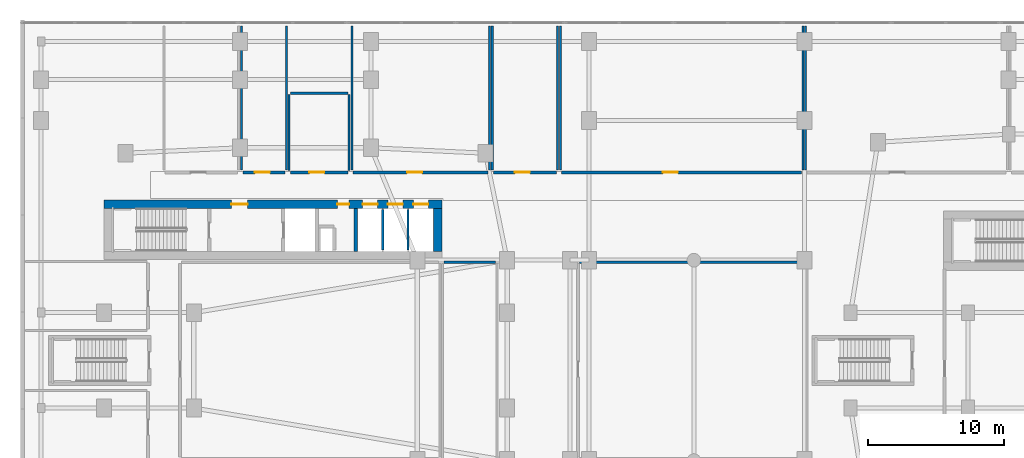
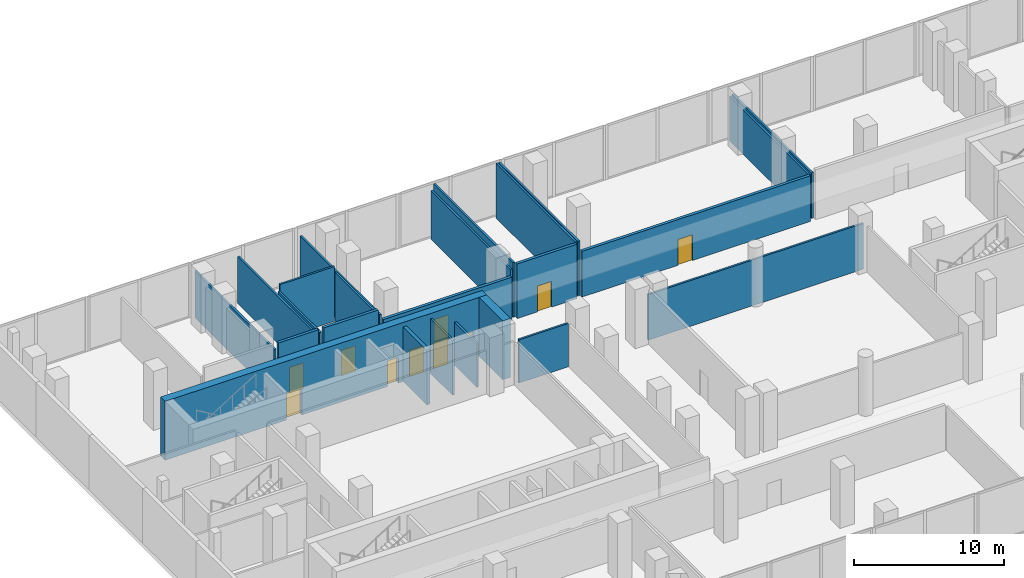
# One storey, part 15 of 23: 24 walls, 10 doors, 10 openings.
"""IFC4 building model written with IfcOpenShell, lengths in metres."""

from ifc_helpers import new_model, si_unit, derived_unit, direction, frame, frame_2d, origin, place, context, subcontext, project, spatial, rectangle, extrude, material, layer, layer_set, type_object, element, fill, save


model = new_model("IFC4")

# Units and contexts
model_context = context("Model", 3, precision=1e-05, world=origin(), true_north=direction((0.0, 1.0)))
body_context = subcontext(model_context, "Body", "Model", "MODEL_VIEW")
ifc_project = project(units=[si_unit("LENGTHUNIT", "METRE"), si_unit("AREAUNIT", "SQUARE_METRE"), si_unit("VOLUMEUNIT", "CUBIC_METRE"), si_unit("PLANEANGLEUNIT", "RADIAN"), si_unit("MASSUNIT", "GRAM", prefix="KILO"), derived_unit("THERMALTRANSMITTANCEUNIT", [(si_unit("POWERUNIT", "WATT"), 1), (si_unit("LENGTHUNIT", "METRE"), -2), (si_unit("THERMODYNAMICTEMPERATUREUNIT", "KELVIN"), -1)])], contexts=[model_context])

# Site, building, storey
site_placement = place(None, origin())
site = spatial("IfcSite", under=ifc_project, at=site_placement, CompositionType="ELEMENT")
building_placement = place(site_placement, origin())
building = spatial("IfcBuilding", under=site, at=building_placement, Name="Kivonza Crest Hotel", CompositionType="ELEMENT")
storey_placement = place(building_placement, frame((0.0, 0.0, 5.39990234375)))
storey = spatial("IfcBuildingStorey", under=building, at=storey_placement, Name="L01", CompositionType="ELEMENT", Elevation=5.39990234375)

# Wall, opening, door
ifc_material_1 = material(Name="Autoclaved aerated concrete blockwork", Category="masonry")
ifc_layer_1 = layer(ifc_material_1, 0.219970703125)
ifc_layer_set_1 = layer_set([ifc_layer_1], Name="Autoclaved aerated concrete blockwork")
wall_type_1 = type_object("IfcWallType", Name="WL-ACOU-220", PredefinedType="SOLIDWALL", material=ifc_layer_set_1)
wall_1_placement = place(storey_placement, frame((16.39990234375, 38.800048828125, 0.0), z_axis=(0.0, 0.0, 1.0), x_axis=(1.0, 0.0, 0.0)))
wall_1 = element("IfcWall", 1, at=wall_1_placement, inside=storey, type_object=wall_type_1, Name="L01 interior partition WA-L01-BOH-PAN-S", PredefinedType="SOLIDWALL", context=body_context, shape_type="SweptSolid", body=[
    extrude(rectangle(XDim=3.10009765625, YDim=0.219970703125, at=frame_2d((1.550048828125, 0.0))), origin(), (0.0, 0.0, 1.0), 4.4501953125),
])
opening_1_placement = place(wall_1_placement, frame((0.889892578125, 0.0, 0.0)))
opening_1 = element("IfcOpeningElement", 2, at=opening_1_placement, cuts=wall_1, Name="Opening DF-60M", PredefinedType="OPENING", context=body_context, shape_type="SweptSolid", body=[
    extrude(rectangle(XDim=1.10009765625, YDim=2.10009765625, at=frame_2d((0.550048828125, 1.050048828125))), frame((0.0, 0.1201171875, 0.0), z_axis=(0.0, -1.0, 0.0), x_axis=(1.0, 0.0, 0.0)), (0.0, 0.0, 1.0), 0.239990234375),
])
ifc_material_2 = material(Name="Hardwood timber oak", Category="wood")
door_type_1 = type_object("IfcDoorType", Name="DR-FD60-1100", OperationType="NOTDEFINED", PredefinedType="DOOR", material=ifc_material_2)
door_1_placement = place(opening_1_placement, origin())
door_1 = element("IfcDoor", 3, at=door_1_placement, inside=storey, type_object=door_type_1, Name="L01 Banquet Service Pantry door", OperationType="SINGLE_SWING_RIGHT", OverallHeight=2.10009765625, OverallWidth=1.10009765625, PredefinedType="DOOR", context=body_context, shape_type="SweptSolid", body=[
    extrude(rectangle(XDim=1.10009765625, YDim=2.10009765625, at=frame_2d((0.550048828125, 1.050048828125))), frame((0.0, 0.02490234375, 0.0), z_axis=(0.0, -1.0, 0.0), x_axis=(1.0, 0.0, 0.0)), (0.0, 0.0, 1.0), 0.050048828125),
])
fill(opening_1, door_1)

wall_2_placement = place(storey_placement, frame((19.89990234375, 38.800048828125, 0.0), z_axis=(0.0, 0.0, 1.0), x_axis=(1.0, 0.0, 0.0)))
wall_2 = element("IfcWall", 4, at=wall_2_placement, inside=storey, type_object=wall_type_1, Name="L01 interior partition WA-L01-AWC-S", PredefinedType="SOLIDWALL", context=body_context, shape_type="SweptSolid", body=[
    extrude(rectangle(XDim=4.2001953125, YDim=0.219970703125, at=frame_2d((2.10009765625, 0.0))), origin(), (0.0, 0.0, 1.0), 4.4501953125),
])
opening_2_placement = place(wall_2_placement, frame((1.385009765625, 0.0, 0.0)))
opening_2 = element("IfcOpeningElement", 5, at=opening_2_placement, cuts=wall_2, Name="Opening DF-60M", PredefinedType="OPENING", context=body_context, shape_type="SweptSolid", body=[
    extrude(rectangle(XDim=1.10009765625, YDim=2.10009765625, at=frame_2d((0.550048828125, 1.050048828125))), frame((0.0, 0.1201171875, 0.0), z_axis=(0.0, -1.0, 0.0), x_axis=(1.0, 0.0, 0.0)), (0.0, 0.0, 1.0), 0.239990234375),
])
door_2_placement = place(opening_2_placement, origin())
door_2 = element("IfcDoor", 6, at=door_2_placement, inside=storey, type_object=door_type_1, Name="L01 L01 Public Accessible WC door", OperationType="SINGLE_SWING_RIGHT", OverallHeight=2.10009765625, OverallWidth=1.10009765625, PredefinedType="DOOR", context=body_context, shape_type="SweptSolid", body=[
    extrude(rectangle(XDim=1.10009765625, YDim=2.10009765625, at=frame_2d((0.550048828125, 1.050048828125))), frame((0.0, 0.02490234375, 0.0), z_axis=(0.0, -1.0, 0.0), x_axis=(1.0, 0.0, 0.0)), (0.0, 0.0, 1.0), 0.050048828125),
])
fill(opening_2, door_2)

wall_3_placement = place(storey_placement, frame((24.5, 38.800048828125, 0.0), z_axis=(0.0, 0.0, 1.0), x_axis=(1.0, 0.0, 0.0)))
wall_3 = element("IfcWall", 7, at=wall_3_placement, inside=storey, type_object=wall_type_1, Name="L01 interior partition WA-L01-MWC-S", PredefinedType="SOLIDWALL", context=body_context, shape_type="SweptSolid", body=[
    extrude(rectangle(XDim=9.89990234375, YDim=0.219970703125, at=frame_2d((4.949951171875, 0.0))), origin(), (0.0, 0.0, 1.0), 3.525146484375),
])
opening_3_placement = place(wall_3_placement, frame((3.949951171875, 0.0, 0.0)))
opening_3 = element("IfcOpeningElement", 8, at=opening_3_placement, cuts=wall_3, Name="Opening DF-60M", PredefinedType="OPENING", context=body_context, shape_type="SweptSolid", body=[
    extrude(rectangle(XDim=1.10009765625, YDim=2.10009765625, at=frame_2d((0.550048828125, 1.050048828125))), frame((0.0, 0.1201171875, 0.0), z_axis=(0.0, -1.0, 0.0), x_axis=(1.0, 0.0, 0.0)), (0.0, 0.0, 1.0), 0.239990234375),
])
door_3_placement = place(opening_3_placement, origin())
door_3 = element("IfcDoor", 9, at=door_3_placement, inside=storey, type_object=door_type_1, Name="L01 L01 Public Male WC door", OperationType="SINGLE_SWING_LEFT", OverallHeight=2.10009765625, OverallWidth=1.10009765625, PredefinedType="DOOR", context=body_context, shape_type="SweptSolid", body=[
    extrude(rectangle(XDim=1.10009765625, YDim=2.10009765625, at=frame_2d((0.550048828125, 1.050048828125))), frame((0.0, 0.02490234375, 0.0), z_axis=(0.0, -1.0, 0.0), x_axis=(1.0, 0.0, 0.0)), (0.0, 0.0, 1.0), 0.050048828125),
])
fill(opening_3, door_3)

wall_4_placement = place(storey_placement, frame((34.800048828125, 38.800048828125, 0.0), z_axis=(0.0, 0.0, 1.0), x_axis=(1.0, 0.0, 0.0)))
wall_4 = element("IfcWall", 10, at=wall_4_placement, inside=storey, type_object=wall_type_1, Name="L01 interior partition WA-L01-FWC-S", PredefinedType="SOLIDWALL", context=body_context, shape_type="SweptSolid", body=[
    extrude(rectangle(XDim=4.599853515625, YDim=0.219970703125, at=frame_2d((2.2998046875, 0.0))), origin(), (0.0, 0.0, 1.0), 4.4501953125),
])
opening_4_placement = place(wall_4_placement, frame((1.56494140625, 0.0, 0.0)))
opening_4 = element("IfcOpeningElement", 11, at=opening_4_placement, cuts=wall_4, Name="Opening DF-60M", PredefinedType="OPENING", context=body_context, shape_type="SweptSolid", body=[
    extrude(rectangle(XDim=1.10009765625, YDim=2.10009765625, at=frame_2d((0.550048828125, 1.050048828125))), frame((0.0, 0.1201171875, 0.0), z_axis=(0.0, -1.0, 0.0), x_axis=(1.0, 0.0, 0.0)), (0.0, 0.0, 1.0), 0.239990234375),
])
door_4_placement = place(opening_4_placement, origin())
door_4 = element("IfcDoor", 12, at=door_4_placement, inside=storey, type_object=door_type_1, Name="L01 L01 Public Female WC door", OperationType="SINGLE_SWING_RIGHT", OverallHeight=2.10009765625, OverallWidth=1.10009765625, PredefinedType="DOOR", context=body_context, shape_type="SweptSolid", body=[
    extrude(rectangle(XDim=1.10009765625, YDim=2.10009765625, at=frame_2d((0.550048828125, 1.050048828125))), frame((0.0, 0.02490234375, 0.0), z_axis=(0.0, -1.0, 0.0), x_axis=(1.0, 0.0, 0.0)), (0.0, 0.0, 1.0), 0.050048828125),
])
fill(opening_4, door_4)

wall_5_placement = place(storey_placement, frame((39.800048828125, 38.800048828125, 0.0), z_axis=(0.0, 0.0, 1.0), x_axis=(1.0, 0.0, 0.0)))
wall_5 = element("IfcWall", 13, at=wall_5_placement, inside=storey, type_object=wall_type_1, Name="L01 interior partition WA-L01-VIP-DIN1-S", PredefinedType="SOLIDWALL", context=body_context, shape_type="SweptSolid", body=[
    extrude(rectangle(XDim=17.599853515625, YDim=0.219970703125, at=frame_2d((8.7998046875, 0.0))), origin(), (0.0, 0.0, 1.0), 3.72509765625),
])
opening_5_placement = place(wall_5_placement, frame((7.4150390625, 0.0, 0.0)))
opening_5 = element("IfcOpeningElement", 14, at=opening_5_placement, cuts=wall_5, Name="Opening DF-60M", PredefinedType="OPENING", context=body_context, shape_type="SweptSolid", body=[
    extrude(rectangle(XDim=1.10009765625, YDim=2.10009765625, at=frame_2d((0.550048828125, 1.050048828125))), frame((0.0, 0.1201171875, 0.0), z_axis=(0.0, -1.0, 0.0), x_axis=(1.0, 0.0, 0.0)), (0.0, 0.0, 1.0), 0.239990234375),
])
door_5_placement = place(opening_5_placement, origin())
door_5 = element("IfcDoor", 15, at=door_5_placement, inside=storey, type_object=door_type_1, Name="L01 North Horizon Banquet West door", OperationType="SINGLE_SWING_LEFT", OverallHeight=2.10009765625, OverallWidth=1.10009765625, PredefinedType="DOOR", context=body_context, shape_type="SweptSolid", body=[
    extrude(rectangle(XDim=1.10009765625, YDim=2.10009765625, at=frame_2d((0.550048828125, 1.050048828125))), frame((0.0, 0.02490234375, 0.0), z_axis=(0.0, -1.0, 0.0), x_axis=(1.0, 0.0, 0.0)), (0.0, 0.0, 1.0), 0.050048828125),
])
fill(opening_5, door_5)

# Wall, openings, doors
ifc_material_3 = material(Name="Concrete C60/75", Category="concrete")
ifc_layer_2 = layer(ifc_material_3, 0.60009765625)
ifc_layer_set_2 = layer_set([ifc_layer_2], Name="Concrete C60/75")
wall_type_2 = type_object("IfcWallType", Name="WL-CORE-600", PredefinedType="SHEAR", material=ifc_layer_set_2)
wall_6_placement = place(storey_placement, frame((6.199951171875, 36.4599609375, 0.0), z_axis=(0.0, 0.0, 1.0), x_axis=(1.0, 0.0, 0.0)))
wall_6 = element("IfcWall", 16, at=wall_6_placement, inside=storey, type_object=wall_type_2, Name="Core wall T1-N North L01", PredefinedType="SHEAR", context=body_context, shape_type="SweptSolid", body=[
    extrude(rectangle(XDim=24.800048828125, YDim=0.60009765625, at=frame_2d((12.39990234375, 0.0))), origin(), (0.0, 0.0, 1.0), 4.800048828125),
])
opening_6_placement = place(wall_6_placement, frame((9.35009765625, 0.0, 0.0)))
opening_6 = element("IfcOpeningElement", 17, at=opening_6_placement, cuts=wall_6, Name="Opening DF-60", PredefinedType="OPENING", context=body_context, shape_type="SweptSolid", body=[
    extrude(rectangle(XDim=1.199951171875, YDim=2.14990234375, at=frame_2d((0.60009765625, 1.074951171875))), frame((0.0, 0.31005859375, 0.0), z_axis=(0.0, -1.0, 0.0), x_axis=(1.0, 0.0, 0.0)), (0.0, 0.0, 1.0), 0.6201171875),
])
opening_7_placement = place(wall_6_placement, frame((17.139892578125, 0.0, 0.0)))
opening_7 = element("IfcOpeningElement", 18, at=opening_7_placement, cuts=wall_6, Name="Opening DF-60R", PredefinedType="OPENING", context=body_context, shape_type="SweptSolid", body=[
    extrude(rectangle(XDim=0.85009765625, YDim=2.10009765625, at=frame_2d((0.425048828125, 1.050048828125))), frame((0.0, 0.31005859375, 0.0), z_axis=(0.0, -1.0, 0.0), x_axis=(1.0, 0.0, 0.0)), (0.0, 0.0, 1.0), 0.6201171875),
])
opening_8_placement = place(wall_6_placement, frame((18.98291015625, 0.0, 0.0)))
opening_8 = element("IfcOpeningElement", 19, at=opening_8_placement, cuts=wall_6, Name="Opening LD-120", PredefinedType="OPENING", context=body_context, shape_type="SweptSolid", body=[
    extrude(rectangle(XDim=1.10009765625, YDim=2.14990234375, at=frame_2d((0.550048828125, 1.074951171875))), frame((0.0, 0.31005859375, 0.0), z_axis=(0.0, -1.0, 0.0), x_axis=(1.0, 0.0, 0.0)), (0.0, 0.0, 1.0), 0.6201171875),
])
opening_9_placement = place(wall_6_placement, frame((20.85009765625, 0.0, 0.0)))
opening_9 = element("IfcOpeningElement", 20, at=opening_9_placement, cuts=wall_6, Name="Opening LD-120", PredefinedType="OPENING", context=body_context, shape_type="SweptSolid", body=[
    extrude(rectangle(XDim=1.10009765625, YDim=2.14990234375, at=frame_2d((0.550048828125, 1.074951171875))), frame((0.0, 0.31005859375, 0.0), z_axis=(0.0, -1.0, 0.0), x_axis=(1.0, 0.0, 0.0)), (0.0, 0.0, 1.0), 0.6201171875),
])
opening_10_placement = place(wall_6_placement, frame((22.716064453125, 0.0, 0.0)))
opening_10 = element("IfcOpeningElement", 21, at=opening_10_placement, cuts=wall_6, Name="Opening LD-120", PredefinedType="OPENING", context=body_context, shape_type="SweptSolid", body=[
    extrude(rectangle(XDim=1.10009765625, YDim=2.14990234375, at=frame_2d((0.550048828125, 1.074951171875))), frame((0.0, 0.31005859375, 0.0), z_axis=(0.0, -1.0, 0.0), x_axis=(1.0, 0.0, 0.0)), (0.0, 0.0, 1.0), 0.6201171875),
])
door_type_2 = type_object("IfcDoorType", Name="DR-FD60-1200", OperationType="NOTDEFINED", PredefinedType="DOOR", material=ifc_material_2)
door_6_placement = place(opening_6_placement, origin())
door_6 = element("IfcDoor", 22, at=door_6_placement, inside=storey, type_object=door_type_2, Name="L01 T1-N firefighting lobby fire door", OperationType="SINGLE_SWING_RIGHT", OverallHeight=2.14990234375, OverallWidth=1.199951171875, PredefinedType="DOOR", context=body_context, shape_type="SweptSolid", body=[
    extrude(rectangle(XDim=1.199951171875, YDim=2.14990234375, at=frame_2d((0.60009765625, 1.074951171875))), frame((0.0, 0.02490234375, 0.0), z_axis=(0.0, -1.0, 0.0), x_axis=(1.0, 0.0, 0.0)), (0.0, 0.0, 1.0), 0.050048828125),
])
fill(opening_6, door_6)
door_type_3 = type_object("IfcDoorType", Name="DR-FD60-850", OperationType="NOTDEFINED", PredefinedType="DOOR", material=ifc_material_2)
door_7_placement = place(opening_7_placement, origin())
door_7 = element("IfcDoor", 23, at=door_7_placement, inside=storey, type_object=door_type_3, Name="L01 T1-N core room door", OperationType="SINGLE_SWING_RIGHT", OverallHeight=2.10009765625, OverallWidth=0.85009765625, PredefinedType="DOOR", context=body_context, shape_type="SweptSolid", body=[
    extrude(rectangle(XDim=0.85009765625, YDim=2.10009765625, at=frame_2d((0.425048828125, 1.050048828125))), frame((0.0, 0.02490234375, 0.0), z_axis=(0.0, -1.0, 0.0), x_axis=(1.0, 0.0, 0.0)), (0.0, 0.0, 1.0), 0.050048828125),
])
fill(opening_7, door_7)
ifc_material_4 = material(Name="Stainless steel", Category="steel")
door_type_4 = type_object("IfcDoorType", Name="DR-LD120-1100", OperationType="NOTDEFINED", PredefinedType="DOOR", material=ifc_material_4)
door_8_placement = place(opening_8_placement, origin())
door_8 = element("IfcDoor", 24, at=door_8_placement, inside=storey, type_object=door_type_4, Name="L01 PL-T1-L1 passenger lift sliding landing door", OperationType="DOUBLE_DOOR_SLIDING", OverallHeight=2.14990234375, OverallWidth=1.10009765625, PredefinedType="DOOR", context=body_context, shape_type="SweptSolid", body=[
    extrude(rectangle(XDim=1.10009765625, YDim=2.14990234375, at=frame_2d((0.550048828125, 1.074951171875))), frame((0.0, 0.02490234375, 0.0), z_axis=(0.0, -1.0, 0.0), x_axis=(1.0, 0.0, 0.0)), (0.0, 0.0, 1.0), 0.050048828125),
])
fill(opening_8, door_8)
door_9_placement = place(opening_9_placement, origin())
door_9 = element("IfcDoor", 25, at=door_9_placement, inside=storey, type_object=door_type_4, Name="L01 PL-T1-L2 passenger lift sliding landing door", OperationType="DOUBLE_DOOR_SLIDING", OverallHeight=2.14990234375, OverallWidth=1.10009765625, PredefinedType="DOOR", context=body_context, shape_type="SweptSolid", body=[
    extrude(rectangle(XDim=1.10009765625, YDim=2.14990234375, at=frame_2d((0.550048828125, 1.074951171875))), frame((0.0, 0.02490234375, 0.0), z_axis=(0.0, -1.0, 0.0), x_axis=(1.0, 0.0, 0.0)), (0.0, 0.0, 1.0), 0.050048828125),
])
fill(opening_9, door_9)
door_10_placement = place(opening_10_placement, origin())
door_10 = element("IfcDoor", 26, at=door_10_placement, inside=storey, type_object=door_type_4, Name="L01 PL-T1-L3 passenger lift sliding landing door", OperationType="DOUBLE_DOOR_SLIDING", OverallHeight=2.14990234375, OverallWidth=1.10009765625, PredefinedType="DOOR", context=body_context, shape_type="SweptSolid", body=[
    extrude(rectangle(XDim=1.10009765625, YDim=2.14990234375, at=frame_2d((0.550048828125, 1.074951171875))), frame((0.0, 0.02490234375, 0.0), z_axis=(0.0, -1.0, 0.0), x_axis=(1.0, 0.0, 0.0)), (0.0, 0.0, 1.0), 0.050048828125),
])
fill(opening_10, door_10)

# Walls
wall_7_placement = place(storey_placement, frame((30.699951171875, 33.0, 0.0), z_axis=(0.0, 0.0, 1.0), x_axis=(0.0, 1.0, 0.0)))
element("IfcWall", 27, at=wall_7_placement, inside=storey, type_object=wall_type_2, Name="Core wall T1-N East L01", PredefinedType="SHEAR", context=body_context, shape_type="SweptSolid", body=[
    extrude(rectangle(XDim=3.159912109375, YDim=0.60009765625, at=frame_2d((1.580078125, 0.0))), origin(), (0.0, 0.0, 1.0), 4.800048828125),
])
ifc_material_5 = material(Name="Twin-stud acoustic gypsum board partition", Category="gypsum")
ifc_layer_3 = layer(ifc_material_5, 0.14990234375)
ifc_layer_set_3 = layer_set([ifc_layer_3], Name="Twin-stud acoustic gypsum board partition")
wall_type_3 = type_object("IfcWallType", Name="WL-PART-150", PredefinedType="PARTITIONING", material=ifc_layer_set_3)
wall_8_placement = place(storey_placement, frame((26.6669921875, 33.10009765625, 0.0), z_axis=(0.0, 0.0, 1.0), x_axis=(0.0, 1.0, 0.0)))
element("IfcWall", 28, at=wall_8_placement, inside=storey, type_object=wall_type_3, Name="L01 interior partition WP-L01-T1-N-BSH-1", PredefinedType="PARTITIONING", context=body_context, shape_type="SweptSolid", body=[
    extrude(rectangle(XDim=2.9599609375, YDim=0.14990234375, at=frame_2d((1.47998046875, 0.0))), origin(), (0.0, 0.0, 1.0), 4.4501953125),
])
wall_9_placement = place(storey_placement, frame((28.532958984375, 33.10009765625, 0.0), z_axis=(0.0, 0.0, 1.0), x_axis=(0.0, 1.0, 0.0)))
element("IfcWall", 29, at=wall_9_placement, inside=storey, type_object=wall_type_3, Name="L01 interior partition WP-L01-T1-N-BSH-2", PredefinedType="PARTITIONING", context=body_context, shape_type="SweptSolid", body=[
    extrude(rectangle(XDim=2.9599609375, YDim=0.14990234375, at=frame_2d((1.47998046875, 0.0))), origin(), (0.0, 0.0, 1.0), 3.525146484375),
])
wall_10_placement = place(storey_placement, frame((31.14990234375, 32.199951171875, 0.0), z_axis=(0.0, 0.0, 1.0), x_axis=(1.0, 0.0, 0.0)))
element("IfcWall", 30, at=wall_10_placement, inside=storey, type_object=wall_type_3, Name="L01 interior partition WP-L01-DIN-SPC-BN", PredefinedType="PARTITIONING", context=body_context, shape_type="SweptSolid", body=[
    extrude(rectangle(XDim=3.800048828125, YDim=0.14990234375, at=frame_2d((1.89990234375, 0.0))), origin(), (0.0, 0.0, 1.0), 3.525146484375),
])
wall_11_placement = place(storey_placement, frame((41.10009765625, 32.199951171875, 0.0), z_axis=(0.0, 0.0, 1.0), x_axis=(1.0, 0.0, 0.0)))
element("IfcWall", 31, at=wall_11_placement, inside=storey, type_object=wall_type_3, Name="L01 interior partition WP-L01-RET-GAL-BN", PredefinedType="PARTITIONING", context=body_context, shape_type="SweptSolid", body=[
    extrude(rectangle(XDim=16.599853515625, YDim=0.14990234375, at=frame_2d((8.2998046875, 0.0))), origin(), (0.0, 0.0, 1.0), 3.72509765625),
])
for number, where, z_axis, x_axis, name in (
    (32, (16.300048828125, 38.949951171875, 0.0), (0.0, 0.0, 1.0), (0.0, 1.0, 0.0), "L01 interior partition WP-L01-BOH-PAN-BW"),
    (33, (19.60009765625, 38.949951171875, 0.0), (0.0, 0.0, 1.0), (0.0, 1.0, 0.0), "L01 interior partition WP-L01-BOH-PAN-BE"),
):
    element("IfcWall", number, at=place(storey_placement, frame(where, z_axis=z_axis, x_axis=x_axis)), inside=storey, type_object=wall_type_3, Name=name, PredefinedType="PARTITIONING", context=body_context, shape_type="SweptSolid", body=[
        extrude(rectangle(XDim=10.60009765625, YDim=0.14990234375, at=frame_2d((5.300048828125, 0.0))), origin(), (0.0, 0.0, 1.0), 3.8251953125),
    ])
for number, where, z_axis, x_axis, name in (
    (34, (19.800048828125, 38.949951171875, 0.0), (0.0, 0.0, 1.0), (0.0, 1.0, 0.0), "L01 interior partition WP-L01-AWC-BW"),
    (35, (24.199951171875, 38.949951171875, 0.0), (0.0, 0.0, 1.0), (0.0, 1.0, 0.0), "L01 interior partition WP-L01-AWC-BE"),
):
    element("IfcWall", number, at=place(storey_placement, frame(where, z_axis=z_axis, x_axis=x_axis)), inside=storey, type_object=wall_type_3, Name=name, PredefinedType="PARTITIONING", context=body_context, shape_type="SweptSolid", body=[
        extrude(rectangle(XDim=5.550048828125, YDim=0.14990234375, at=frame_2d((2.77490234375, 0.0))), origin(), (0.0, 0.0, 1.0), 3.97509765625),
    ])
wall_12_placement = place(storey_placement, frame((19.89990234375, 44.60009765625, 0.0), z_axis=(0.0, 0.0, 1.0), x_axis=(1.0, 0.0, 0.0)))
element("IfcWall", 36, at=wall_12_placement, inside=storey, type_object=wall_type_3, Name="L01 interior partition WP-L01-AWC-BN", PredefinedType="PARTITIONING", context=body_context, shape_type="SweptSolid", body=[
    extrude(rectangle(XDim=4.2001953125, YDim=0.14990234375, at=frame_2d((2.10009765625, 0.0))), origin(), (0.0, 0.0, 1.0), 4.4501953125),
])
wall_13_placement = place(storey_placement, frame((24.39990234375, 38.949951171875, 0.0), z_axis=(0.0, 0.0, 1.0), x_axis=(0.0, 1.0, 0.0)))
element("IfcWall", 37, at=wall_13_placement, inside=storey, type_object=wall_type_3, Name="L01 interior partition WP-L01-MWC-BW", PredefinedType="PARTITIONING", context=body_context, shape_type="SweptSolid", body=[
    extrude(rectangle(XDim=10.60009765625, YDim=0.14990234375, at=frame_2d((5.300048828125, 0.0))), origin(), (0.0, 0.0, 1.0), 3.8251953125),
])
wall_14_placement = place(storey_placement, frame((34.5, 38.949951171875, 0.0), z_axis=(0.0, 0.0, 1.0), x_axis=(0.0, 1.0, 0.0)))
element("IfcWall", 38, at=wall_14_placement, inside=storey, type_object=wall_type_3, Name="L01 interior partition WP-L01-MWC-BE", PredefinedType="PARTITIONING", context=body_context, shape_type="SweptSolid", body=[
    extrude(rectangle(XDim=10.60009765625, YDim=0.14990234375, at=frame_2d((5.300048828125, 0.0))), origin(), (0.0, 0.0, 1.0), 3.97509765625),
])
for number, where, z_axis, x_axis, name in (
    (39, (34.699951171875, 38.949951171875, 0.0), (0.0, 0.0, 1.0), (0.0, 1.0, 0.0), "L01 interior partition WP-L01-FWC-BW"),
    (40, (39.5, 38.949951171875, 0.0), (0.0, 0.0, 1.0), (0.0, 1.0, 0.0), "L01 interior partition WP-L01-FWC-BE"),
    (41, (39.699951171875, 38.949951171875, 0.0), (0.0, 0.0, 1.0), (0.0, 1.0, 0.0), "L01 interior partition WP-L01-VIP-DIN1-BW"),
):
    element("IfcWall", number, at=place(storey_placement, frame(where, z_axis=z_axis, x_axis=x_axis)), inside=storey, type_object=wall_type_3, Name=name, PredefinedType="PARTITIONING", context=body_context, shape_type="SweptSolid", body=[
        extrude(rectangle(XDim=10.60009765625, YDim=0.14990234375, at=frame_2d((5.300048828125, 0.0))), origin(), (0.0, 0.0, 1.0), 4.4501953125),
    ])
wall_15_placement = place(storey_placement, frame((57.5, 38.949951171875, 0.0), z_axis=(0.0, 0.0, 1.0), x_axis=(0.0, 1.0, 0.0)))
element("IfcWall", 42, at=wall_15_placement, inside=storey, type_object=wall_type_3, Name="L01 interior partition WP-L01-VIP-DIN1-BE", PredefinedType="PARTITIONING", context=body_context, shape_type="SweptSolid", body=[
    extrude(rectangle(XDim=10.60009765625, YDim=0.14990234375, at=frame_2d((5.300048828125, 0.0))), origin(), (0.0, 0.0, 1.0), 3.625),
])
wall_16_placement = place(storey_placement, frame((57.699951171875, 38.949951171875, 0.0), z_axis=(0.0, 0.0, 1.0), x_axis=(0.0, 1.0, 0.0)))
element("IfcWall", 43, at=wall_16_placement, inside=storey, type_object=wall_type_3, Name="L01 interior partition WP-L01-VIP-DIN2-BW", PredefinedType="PARTITIONING", context=body_context, shape_type="SweptSolid", body=[
    extrude(rectangle(XDim=10.60009765625, YDim=0.14990234375, at=frame_2d((5.300048828125, 0.0))), origin(), (0.0, 0.0, 1.0), 3.72509765625),
])
ifc_material_6 = material(Name="Concrete C50/60", Category="concrete")
ifc_layer_4 = layer(ifc_material_6, 0.25)
ifc_layer_set_4 = layer_set([ifc_layer_4], Name="Concrete C50/60")
wall_type_4 = type_object("IfcWallType", Name="WL-SHAFT-250", PredefinedType="STANDARD", material=ifc_layer_set_4)
wall_17_placement = place(storey_placement, frame((24.675048828125, 33.0, 0.0), z_axis=(0.0, 0.0, 1.0), x_axis=(0.0, 1.0, 0.0)))
element("IfcWall", 44, at=wall_17_placement, inside=storey, type_object=wall_type_4, Name="Core shaft wall T1-N BANK-W L01", PredefinedType="STANDARD", context=body_context, shape_type="SweptSolid", body=[
    extrude(rectangle(XDim=3.159912109375, YDim=0.25, at=frame_2d((1.580078125, 0.0))), origin(), (0.0, 0.0, 1.0), 4.4501953125),
])

save(model, "model.ifc")
